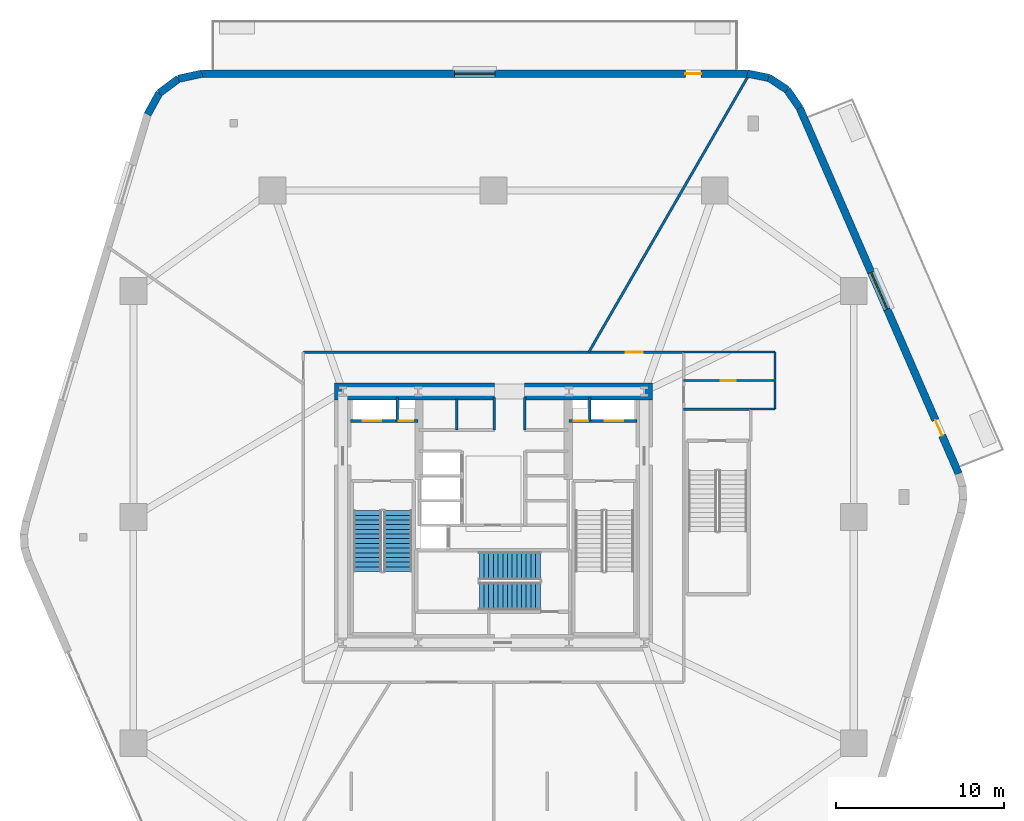
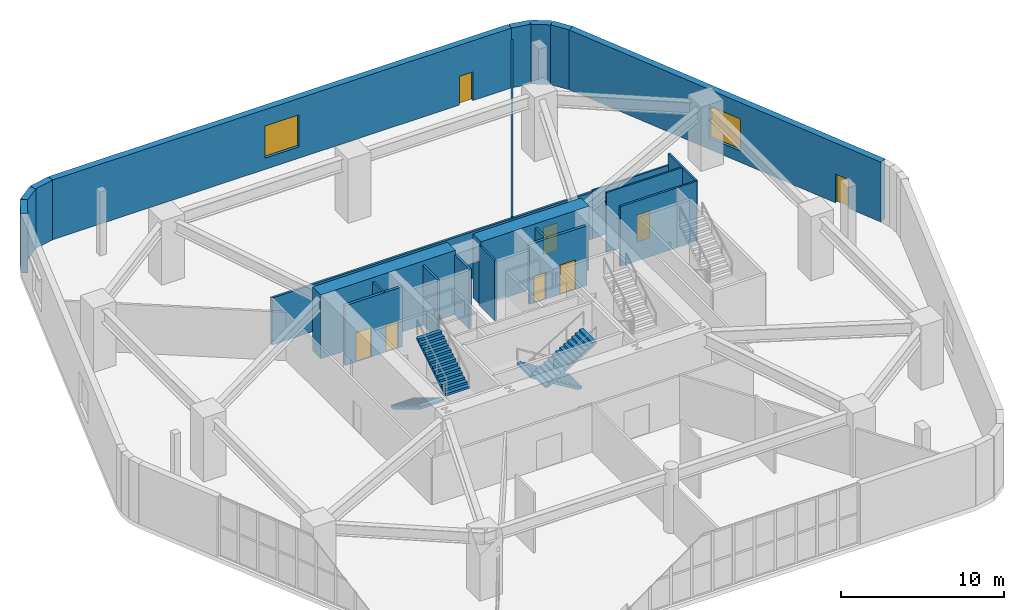
# One storey, part 13 of 17: 24 walls, 8 doors, 4 stair flights, 2 windows, 10 openings, 2 elements without a shape of their own.
"""IFC4 building model written with IfcOpenShell, lengths in metres."""

import ifcopenshell
import ifcopenshell.guid

model = None  # the IFC model being written
_history = None  # IfcOwnerHistory: only IFC2X3 demands one
_inside = {}  # id of a spatial element -> (the spatial element, [elements in it])
_under = {}  # id of a project, library or spatial element -> (it, [spatial elements below it])
_declared = {}  # id of a project -> (the project, [libraries it declares])
_typed = {}  # id of a type object -> (the type object, [elements of that type])
_made_of = {}  # id of a material, layer set ... -> (it, [elements and type objects made of it])


def new_model(schema):
    """Start an empty IFC model of exactly this schema.

    Asked for "IFC4X3", IfcOpenShell would pick the latest addendum, in which some entities
    have other attributes; the version numbers below select the first issue.
    IFC2X3 requires an IfcOwnerHistory on every rooted entity: one is made here for all.
    """
    global model, _history
    if schema == "IFC4X3":
        model = ifcopenshell.file(schema_version=(4, 3, 0, 0))
    else:
        model = ifcopenshell.file(schema=schema)
    _inside.clear()
    _under.clear()
    _declared.clear()
    _typed.clear()
    _made_of.clear()
    _history = None
    if model.schema == "IFC2X3":
        org = make("IfcOrganization", Name="unknown")
        user = make(
            "IfcPersonAndOrganization",
            ThePerson=make("IfcPerson", FamilyName="unknown"),
            TheOrganization=org,
        )
        app = make(
            "IfcApplication",
            ApplicationDeveloper=org,
            Version="unknown",
            ApplicationFullName="unknown",
            ApplicationIdentifier="unknown",
        )
        _history = make(
            "IfcOwnerHistory",
            OwningUser=user,
            OwningApplication=app,
            ChangeAction="ADDED",
            CreationDate=0,
        )
    return model


def make(cls, **values):
    """One entity of the class cls with the attributes given. An attribute that is None is left unset."""
    return model.create_entity(
        cls, **{name: value for name, value in values.items() if value is not None}
    )


def rooted(cls, **values):
    """An entity with a GlobalId (a new one), such as an element, a storey or a relation."""
    return make(cls, GlobalId=ifcopenshell.guid.new(), OwnerHistory=_history, **values)


def si_unit(unit_type, name, prefix=None):
    """IfcSIUnit, for example si_unit("LENGTHUNIT", "METRE", prefix="MILLI")."""
    return make("IfcSIUnit", UnitType=unit_type, Prefix=prefix, Name=name)


def assignment(units):
    """IfcUnitAssignment: the units of a project."""
    return None if units is None else make("IfcUnitAssignment", Units=units)


def point(xyz):
    """IfcCartesianPoint."""
    return None if xyz is None else make("IfcCartesianPoint", Coordinates=xyz)


def direction(xyz):
    """IfcDirection."""
    return None if xyz is None else make("IfcDirection", DirectionRatios=xyz)


def frame(location, z_axis=None, x_axis=None):
    """IfcAxis2Placement3D, a coordinate frame: its origin and axes. An axis left out is left unset."""
    return make(
        "IfcAxis2Placement3D",
        Location=point(location),
        Axis=direction(z_axis),
        RefDirection=direction(x_axis),
    )


def frame_2d(location, x_axis=None):
    """IfcAxis2Placement2D, a coordinate frame in the plane: its origin and x axis."""
    return make(
        "IfcAxis2Placement2D", Location=point(location), RefDirection=direction(x_axis)
    )


def origin():
    """The frame at (0, 0, 0) with its axes left unset."""
    return frame((0.0, 0.0, 0.0))


def place(relative_to, where):
    """IfcLocalPlacement: puts the frame where relative to a parent placement (None: the world)."""
    return make(
        "IfcLocalPlacement", PlacementRelTo=relative_to, RelativePlacement=where
    )


def context(
    kind, dimensions, precision=None, world=None, true_north=None, identifier=None
):
    """IfcGeometricRepresentationContext, for example the 3D "Model" context."""
    return make(
        "IfcGeometricRepresentationContext",
        ContextIdentifier=identifier,
        ContextType=kind,
        CoordinateSpaceDimension=dimensions,
        Precision=precision,
        WorldCoordinateSystem=world,
        TrueNorth=true_north,
    )


def subcontext(parent, identifier, kind, view, scale=None):
    """IfcGeometricRepresentationSubContext, for example "Body" below "Model"."""
    return make(
        "IfcGeometricRepresentationSubContext",
        ContextIdentifier=identifier,
        ContextType=kind,
        ParentContext=parent,
        TargetScale=scale,
        TargetView=view,
    )


def project(units=None, contexts=None):
    """IfcProject with its units and contexts."""
    return rooted(
        "IfcProject",
        Name="project",
        RepresentationContexts=contexts,
        UnitsInContext=assignment(units),
    )


def spatial(cls, under=None, at=None, **own):
    """A site, building, storey or space (cls), placed at a placement, below another one or the project."""
    s = rooted(cls, ObjectPlacement=at, **own)
    if under is not None:
        _under.setdefault(under.id(), (under, []))[1].append(s)
    return s


def polyline(points):
    """IfcPolyline through the points."""
    return make("IfcPolyline", Points=[point(p) for p in points])


def profile(cls, at=None, kind="AREA", **sizes):
    """A parametric profile (cls). Its sizes go by their IFC names, for example OverallWidth=200.0."""
    return make(cls, ProfileType=kind, Position=at, **sizes)


def rectangle(**sizes):
    """IfcRectangleProfileDef."""
    return profile("IfcRectangleProfileDef", **sizes)


def outline(outer, holes=None, kind="AREA"):
    """IfcArbitraryClosedProfileDef: a profile drawn as a closed curve; with holes, ...WithVoids."""
    if holes is None:
        return make("IfcArbitraryClosedProfileDef", ProfileType=kind, OuterCurve=outer)
    return make(
        "IfcArbitraryProfileDefWithVoids",
        ProfileType=kind,
        OuterCurve=outer,
        InnerCurves=holes,
    )


def extrude(swept, where, along, depth):
    """IfcExtrudedAreaSolid: the profile swept, set in the frame where, extruded along a direction by depth."""
    return make(
        "IfcExtrudedAreaSolid",
        SweptArea=swept,
        Position=where,
        ExtrudedDirection=direction(along),
        Depth=depth,
    )


def shape(context_of_items, identifier, shape_type, items):
    """IfcShapeRepresentation: the items that make up one representation, for example the "Body"."""
    return make(
        "IfcShapeRepresentation",
        ContextOfItems=context_of_items,
        RepresentationIdentifier=identifier,
        RepresentationType=shape_type,
        Items=items,
    )


def material(Name=None, Category=None):
    """IfcMaterial."""
    return make("IfcMaterial", Name=Name, Category=Category)


def layer(
    of_material, thickness, ventilated=None, Name=None, Category=None, Priority=None
):
    """IfcMaterialLayer: one layer of a wall or slab, of a material (None: an air gap)."""
    return make(
        "IfcMaterialLayer",
        Material=of_material,
        LayerThickness=thickness,
        IsVentilated=ventilated,
        Name=Name,
        Category=Category,
        Priority=Priority,
    )


def layer_set(layers, Name=None):
    """IfcMaterialLayerSet."""
    return make("IfcMaterialLayerSet", MaterialLayers=layers, LayerSetName=Name)


def made_of(thing, what):
    """Note that an element or type object is made of a material, layer set ...; save() writes the relation."""
    if what is not None:
        _made_of.setdefault(what.id(), (what, []))[1].append(thing)
    return thing


def type_object(cls, material=None, **own):
    """A type object (cls), such as IfcWallType, which elements share."""
    return made_of(rooted(cls, **own), material)


def element(
    cls,
    number,
    at=None,
    inside=None,
    cuts=None,
    type_object=None,
    material=None,
    context=None,
    identifier="Body",
    shape_type=None,
    held_by="IfcProductDefinitionShape",
    body=None,
    shapes=None,
    **own,
):
    """One element of the class cls, such as IfcWall. Its Tag is "e" and its number.

    at: its placement. inside: the storey or other place that contains it. cuts: it is an
    opening in that element (IfcRelVoidsElement). A single representation is given by context,
    identifier, shape_type and body (its items); several are given by shapes. held_by: the class
    of the entity that holds the representations. save() writes the other relations.
    """
    e = rooted(cls, Tag="e%d" % number, ObjectPlacement=at, **own)
    if body is not None:
        shapes = [shape(context, identifier, shape_type, body)]
    if shapes is not None:
        e.Representation = make(held_by, Representations=shapes)
    if inside is not None:
        _inside.setdefault(inside.id(), (inside, []))[1].append(e)
    if cuts is not None:
        rooted(
            "IfcRelVoidsElement", RelatingBuildingElement=cuts, RelatedOpeningElement=e
        )
    if type_object is not None:
        _typed.setdefault(type_object.id(), (type_object, []))[1].append(e)
    return made_of(e, material)


def fill(opening, filler):
    """IfcRelFillsElement: the door or window that sits in an opening."""
    return rooted(
        "IfcRelFillsElement",
        RelatingOpeningElement=opening,
        RelatedBuildingElement=filler,
    )


def aggregate(whole, parts):
    """IfcRelAggregates: a whole, such as a stair, and the parts it consists of."""
    return rooted("IfcRelAggregates", RelatingObject=whole, RelatedObjects=parts)


def save(model, path):
    """Write the relations noted so far, then the file.

    IfcRelAggregates (storeys below a building ...), IfcRelContainedInSpatialStructure (elements
    in a storey), IfcRelDefinesByType, IfcRelAssociatesMaterial and IfcRelDeclares: one each for
    every whole, place, type object, material and project.
    """
    for whole, parts in _under.values():
        aggregate(whole, parts)
    for where, things in _inside.values():
        rooted(
            "IfcRelContainedInSpatialStructure",
            RelatedElements=things,
            RelatingStructure=where,
        )
    for kind, things in _typed.values():
        rooted("IfcRelDefinesByType", RelatedObjects=things, RelatingType=kind)
    for what, things in _made_of.values():
        rooted("IfcRelAssociatesMaterial", RelatedObjects=things, RelatingMaterial=what)
    for by, libraries in _declared.values():
        rooted("IfcRelDeclares", RelatingContext=by, RelatedDefinitions=libraries)
    model.write(path)


model = new_model("IFC4")

# Units and contexts
model_context = context("Model", 3, precision=1e-05, world=origin(), true_north=direction((0.0, 1.0)))
body_context = subcontext(model_context, "Body", "Model", "MODEL_VIEW")
ifc_project = project(units=[si_unit("LENGTHUNIT", "METRE"), si_unit("AREAUNIT", "SQUARE_METRE"), si_unit("VOLUMEUNIT", "CUBIC_METRE"), si_unit("PLANEANGLEUNIT", "RADIAN"), si_unit("MASSUNIT", "GRAM", prefix="KILO")], contexts=[model_context])

# Site, building, storey
site_placement = place(None, origin())
site = spatial("IfcSite", under=ifc_project, at=site_placement, CompositionType="ELEMENT")
building_placement = place(site_placement, origin())
building = spatial("IfcBuilding", under=site, at=building_placement, Name="Kilnhurst Terrace Hotel", CompositionType="ELEMENT")
storey_placement = place(building_placement, frame((0.0, 0.0, 18.60009765625)))
storey = spatial("IfcBuildingStorey", under=building, at=storey_placement, Name="L03", CompositionType="ELEMENT", Elevation=18.60009765625)

# Walls
ifc_material_1 = material(Name="Precast concrete C40/50", Category="concrete")
ifc_layer_1 = layer(ifc_material_1, 0.449951171875, Name="Precast concrete C40/50")
ifc_layer_set_1 = layer_set([ifc_layer_1], Name="Precast concrete C40/50")
wall_type_1 = type_object("IfcWallType", Name="WL-BRK-450", PredefinedType="SOLIDWALL", material=ifc_layer_set_1)
wall_1_placement = place(storey_placement, frame((18.27099609375, 24.426025390625, 0.0), z_axis=(0.0, 0.0, 1.0), x_axis=(-0.567629051817, 0.823284434162, 0.0)))
element("IfcWall", 1, at=wall_1_placement, inside=storey, type_object=wall_type_1, Name="L03 Rounded Corner Brick Wall C4.1", PredefinedType="SOLIDWALL", context=body_context, shape_type="SweptSolid", body=[
    extrude(rectangle(XDim=1.31787109375, YDim=0.449951171875, at=frame_2d((0.658935546875, 0.0))), origin(), (0.0, 0.0, 1.0), 4.47998046875),
])
wall_2_placement = place(storey_placement, frame((17.52294921875, 25.510986328125, 0.0), z_axis=(0.0, 0.0, 1.0), x_axis=(-0.83622878949, 0.548380717776, 0.0)))
element("IfcWall", 2, at=wall_2_placement, inside=storey, type_object=wall_type_1, Name="L03 Rounded Corner Brick Wall C4.2", PredefinedType="SOLIDWALL", context=body_context, shape_type="SweptSolid", body=[
    extrude(rectangle(XDim=1.2958984375, YDim=0.449951171875, at=frame_2d((0.64794921875, 0.0))), origin(), (0.0, 0.0, 1.0), 4.47998046875),
])
wall_3_placement = place(storey_placement, frame((16.439208984375, 26.2216796875, 0.0), z_axis=(0.0, 0.0, 1.0), x_axis=(-0.98134938685, 0.192232621919, 0.0)))
element("IfcWall", 3, at=wall_3_placement, inside=storey, type_object=wall_type_1, Name="L03 Rounded Corner Brick Wall C4.3", PredefinedType="SOLIDWALL", context=body_context, shape_type="SweptSolid", body=[
    extrude(rectangle(XDim=1.318359375, YDim=0.449951171875, at=frame_2d((0.6591796875, 0.0))), origin(), (0.0, 0.0, 1.0), 4.47998046875),
])
wall_4_placement = place(storey_placement, frame((-17.385986328125, 26.47509765625, 0.0), z_axis=(0.0, 0.0, 1.0), x_axis=(-0.977277895208, -0.211962061551, 0.0)))
element("IfcWall", 4, at=wall_4_placement, inside=storey, type_object=wall_type_1, Name="L03 Rounded Corner Brick Wall C5.1", PredefinedType="SOLIDWALL", context=body_context, shape_type="SweptSolid", body=[
    extrude(rectangle(XDim=1.452392578125, YDim=0.449951171875, at=frame_2d((0.72607421875, 0.0))), origin(), (0.0, 0.0, 1.0), 4.47998046875),
])
wall_5_placement = place(storey_placement, frame((-18.805419921875, 26.167236328125, 0.0), z_axis=(0.0, 0.0, 1.0), x_axis=(-0.801863548993, -0.597507195603, 0.0)))
element("IfcWall", 5, at=wall_5_placement, inside=storey, type_object=wall_type_1, Name="L03 Rounded Corner Brick Wall C5.2", PredefinedType="SOLIDWALL", context=body_context, shape_type="SweptSolid", body=[
    extrude(rectangle(XDim=1.427734375, YDim=0.449951171875, at=frame_2d((0.7138671875, 0.0))), origin(), (0.0, 0.0, 1.0), 4.47998046875),
])
wall_6_placement = place(storey_placement, frame((-19.9501953125, 25.314208984375, 0.0), z_axis=(0.0, 0.0, 1.0), x_axis=(-0.482499474814, -0.875896259157, 0.0)))
element("IfcWall", 6, at=wall_6_placement, inside=storey, type_object=wall_type_1, Name="L03 Rounded Corner Brick Wall C5.3", PredefinedType="SOLIDWALL", context=body_context, shape_type="SweptSolid", body=[
    extrude(rectangle(XDim=1.4521484375, YDim=0.449951171875, at=frame_2d((0.72607421875, 0.0))), origin(), (0.0, 0.0, 1.0), 4.47998046875),
])

# Wall, openings, door, window
wall_7_placement = place(storey_placement, frame((27.76416015625, 2.596435546875, 0.0), z_axis=(0.0, 0.0, 1.0), x_axis=(-0.398798114842, 0.917038747054, 0.0)))
wall_7 = element("IfcWall", 7, at=wall_7_placement, inside=storey, type_object=wall_type_1, Name="L03 Exterior Brick Facade Wall F3", PredefinedType="SOLIDWALL", context=body_context, shape_type="SweptSolid", body=[
    extrude(rectangle(XDim=23.804443359375, YDim=0.449951171875, at=frame_2d((11.90234375, 0.0))), origin(), (0.0, 0.0, 1.0), 4.47998046875),
])
opening_1_placement = place(wall_7_placement, frame((2.47607421875, 0.0, 0.0)))
opening_1 = element("IfcOpeningElement", 8, at=opening_1_placement, cuts=wall_7, Name="Opening BD-1000", PredefinedType="OPENING", context=body_context, shape_type="SweptSolid", body=[
    extrude(rectangle(XDim=1.0, YDim=2.14990234375, at=frame_2d((0.5, 1.074951171875))), frame((0.0, 0.23486328125, 0.0), z_axis=(0.0, -1.0, 0.0), x_axis=(1.0, 0.0, 0.0)), (0.0, 0.0, 1.0), 0.469970703125),
])
opening_2_placement = place(wall_7_placement, frame((10.701904296875, 0.0, 0.85009765625)))
opening_2 = element("IfcOpeningElement", 9, at=opening_2_placement, cuts=wall_7, Name="Opening W-07", PredefinedType="OPENING", context=body_context, shape_type="SweptSolid", body=[
    extrude(rectangle(XDim=2.39990234375, YDim=2.39990234375, at=frame_2d((1.199951171875, 1.199951171875))), frame((0.0, 0.23486328125, 0.0), z_axis=(0.0, -1.0, 0.0), x_axis=(1.0, 0.0, 0.0)), (0.0, 0.0, 1.0), 0.469970703125),
])
ifc_material_2 = material(Name="Thermally Broken Bronze Aluminium Alloy 6063-T6 and Laminated Glass", Category="aluminium")
door_type_1 = type_object("IfcDoorType", Name="DR-EXT-BAL-1000", OperationType="NOTDEFINED", PredefinedType="DOOR", material=ifc_material_2)
door_1_placement = place(opening_1_placement, origin())
door_1 = element("IfcDoor", 10, at=door_1_placement, inside=storey, type_object=door_type_1, Name="L03 Planted Balcony Door TERR-1", OperationType="SINGLE_SWING_LEFT", OverallHeight=2.14990234375, OverallWidth=1.0, PredefinedType="DOOR", context=body_context, shape_type="SweptSolid", body=[
    extrude(rectangle(XDim=1.0, YDim=2.14990234375, at=frame_2d((0.5, 1.074951171875))), frame((0.0, 0.02490234375, 0.0), z_axis=(0.0, -1.0, 0.0), x_axis=(1.0, 0.0, 0.0)), (0.0, 0.0, 1.0), 0.050048828125),
])
fill(opening_1, door_1)
ifc_material_3 = material(Name="Thermally Broken Bronze Aluminium Alloy 6063-T6 and Low-E Glass", Category="aluminium")
window_type = type_object("IfcWindowType", Name="WIN-2400X2400", PartitioningType="SINGLE_PANEL", PredefinedType="WINDOW", material=ifc_material_3)
window_1_placement = place(opening_2_placement, origin())
window_1 = element("IfcWindow", 11, at=window_1_placement, inside=storey, type_object=window_type, Name="L03 Deep-Set Masonry Window F3.1", OverallHeight=2.39990234375, OverallWidth=2.39990234375, PartitioningType="SINGLE_PANEL", PredefinedType="WINDOW", context=body_context, shape_type="SweptSolid", body=[
    extrude(rectangle(XDim=2.39990234375, YDim=2.39990234375, at=frame_2d((1.199951171875, 1.199951171875))), frame((0.0, 0.030029296875, 0.0), z_axis=(0.0, -1.0, 0.0), x_axis=(1.0, 0.0, 0.0)), (0.0, 0.0, 1.0), 0.06005859375),
])
fill(opening_2, window_1)

wall_8_placement = place(storey_placement, frame((15.1455078125, 26.47509765625, 0.0), z_axis=(0.0, 0.0, 1.0), x_axis=(-1.0, 0.0, 0.0)))
wall_8 = element("IfcWall", 12, at=wall_8_placement, inside=storey, type_object=wall_type_1, Name="L03 Exterior Brick Facade Wall F4", PredefinedType="SOLIDWALL", context=body_context, shape_type="SweptSolid", body=[
    extrude(rectangle(XDim=32.531494140625, YDim=0.449951171875, at=frame_2d((16.265625, 0.0))), origin(), (0.0, 0.0, 1.0), 4.47998046875),
])
opening_3_placement = place(wall_8_placement, frame((2.7529296875, 0.0, 0.0)))
opening_3 = element("IfcOpeningElement", 13, at=opening_3_placement, cuts=wall_8, Name="Opening BD-950", PredefinedType="OPENING", context=body_context, shape_type="SweptSolid", body=[
    extrude(rectangle(XDim=0.949951171875, YDim=2.14990234375, at=frame_2d((0.47509765625, 1.074951171875))), frame((0.0, 0.23486328125, 0.0), z_axis=(0.0, -1.0, 0.0), x_axis=(1.0, 0.0, 0.0)), (0.0, 0.0, 1.0), 0.469970703125),
])
opening_4_placement = place(wall_8_placement, frame((15.06591796875, 0.0, 0.85009765625)))
opening_4 = element("IfcOpeningElement", 14, at=opening_4_placement, cuts=wall_8, Name="Opening W-07", PredefinedType="OPENING", context=body_context, shape_type="SweptSolid", body=[
    extrude(rectangle(XDim=2.39990234375, YDim=2.39990234375, at=frame_2d((1.199951171875, 1.199951171875))), frame((0.0, 0.23486328125, 0.0), z_axis=(0.0, -1.0, 0.0), x_axis=(1.0, 0.0, 0.0)), (0.0, 0.0, 1.0), 0.469970703125),
])
door_type_2 = type_object("IfcDoorType", Name="DR-EXT-BAL-950", OperationType="NOTDEFINED", PredefinedType="DOOR", material=ifc_material_2)
door_2_placement = place(opening_3_placement, origin())
door_2 = element("IfcDoor", 15, at=door_2_placement, inside=storey, type_object=door_type_2, Name="L03 Planted Balcony Door TERR-2", OperationType="SINGLE_SWING_RIGHT", OverallHeight=2.14990234375, OverallWidth=0.949951171875, PredefinedType="DOOR", context=body_context, shape_type="SweptSolid", body=[
    extrude(rectangle(XDim=0.949951171875, YDim=2.14990234375, at=frame_2d((0.47509765625, 1.074951171875))), frame((0.0, 0.02490234375, 0.0), z_axis=(0.0, -1.0, 0.0), x_axis=(1.0, 0.0, 0.0)), (0.0, 0.0, 1.0), 0.050048828125),
])
fill(opening_3, door_2)
window_2_placement = place(opening_4_placement, origin())
window_2 = element("IfcWindow", 16, at=window_2_placement, inside=storey, type_object=window_type, Name="L03 Deep-Set Masonry Window F4.1", OverallHeight=2.39990234375, OverallWidth=2.39990234375, PartitioningType="SINGLE_PANEL", PredefinedType="WINDOW", context=body_context, shape_type="SweptSolid", body=[
    extrude(rectangle(XDim=2.39990234375, YDim=2.39990234375, at=frame_2d((1.199951171875, 1.199951171875))), frame((0.0, 0.030029296875, 0.0), z_axis=(0.0, -1.0, 0.0), x_axis=(1.0, 0.0, 0.0)), (0.0, 0.0, 1.0), 0.06005859375),
])
fill(opening_4, window_2)

# Wall, opening, door
ifc_material_4 = material(Name="Acoustic Double-Gypsum Corridor Partition Assembly")
ifc_layer_2 = layer(ifc_material_4, 0.14990234375, Name="Acoustic Double-Gypsum Corridor Partition Assembly")
ifc_layer_set_2 = layer_set([ifc_layer_2], Name="Acoustic Double-Gypsum Corridor Partition Assembly")
wall_type_2 = type_object("IfcWallType", Name="WL-COR-150", PredefinedType="PARTITIONING", material=ifc_layer_set_2)
wall_9_placement = place(storey_placement, frame((-11.35009765625, 9.85009765625, 0.0), z_axis=(0.0, 0.0, 1.0), x_axis=(1.0, 0.0, 0.0)))
wall_9 = element("IfcWall", 17, at=wall_9_placement, inside=storey, type_object=wall_type_2, Name="L03 Interior Wall WL-L03-COR-02", PredefinedType="PARTITIONING", context=body_context, shape_type="SweptSolid", body=[
    extrude(rectangle(XDim=22.7001953125, YDim=0.14990234375, at=frame_2d((11.35009765625, 0.0))), origin(), (0.0, 0.0, 1.0), 3.521728515625),
])
opening_5_placement = place(wall_9_placement, frame((19.2490234375, 0.0, 0.0)))
opening_5 = element("IfcOpeningElement", 18, at=opening_5_placement, cuts=wall_9, Name="Opening D-10A", PredefinedType="OPENING", context=body_context, shape_type="SweptSolid", body=[
    extrude(rectangle(XDim=1.0, YDim=2.030029296875, at=frame_2d((0.5, 1.01513671875))), frame((0.0, 0.0849609375, 0.0), z_axis=(0.0, -1.0, 0.0), x_axis=(1.0, 0.0, 0.0)), (0.0, 0.0, 1.0), 0.169921875),
])
ifc_material_5 = material(Name="Solid-Core American White Oak Interior Door")
door_type_3 = type_object("IfcDoorType", Name="DR-INT-1000", OperationType="NOTDEFINED", PredefinedType="DOOR", material=ifc_material_5)
door_3_placement = place(opening_5_placement, origin())
door_3 = element("IfcDoor", 19, at=door_3_placement, inside=storey, type_object=door_type_3, Name="L03 Executive Conference Boardroom Suite Door", OperationType="SINGLE_SWING_LEFT", OverallHeight=2.030029296875, OverallWidth=1.0, PredefinedType="DOOR", context=body_context, shape_type="SweptSolid", body=[
    extrude(rectangle(XDim=1.0, YDim=2.030029296875, at=frame_2d((0.5, 1.01513671875))), frame((0.0, 0.02490234375, 0.0), z_axis=(0.0, -1.0, 0.0), x_axis=(1.0, 0.0, 0.0)), (0.0, 0.0, 1.0), 0.050048828125),
])
fill(opening_5, door_3)

# Walls
wall_10_placement = place(storey_placement, frame((11.35009765625, 6.449951171875, 0.0), z_axis=(0.0, 0.0, 1.0), x_axis=(1.0, 0.0, 0.0)))
element("IfcWall", 20, at=wall_10_placement, inside=storey, type_object=wall_type_2, Name="L03 Interior Wall WL-L03-ST4-VEST-N", PredefinedType="PARTITIONING", context=body_context, shape_type="SweptSolid", body=[
    extrude(rectangle(XDim=4.0, YDim=0.14990234375, at=frame_2d((2.0, 0.0))), origin(), (0.0, 0.0, 1.0), 4.47998046875),
])
ifc_material_6 = material(Name="Concrete C80/95", Category="concrete")
ifc_layer_3 = layer(ifc_material_6, 1.0, Name="Concrete C80/95")
ifc_layer_set_3 = layer_set([ifc_layer_3], Name="Concrete C80/95")
wall_type_3 = type_object("IfcWallType", Name="WL-CORE-1000", PredefinedType="SHEAR", material=ifc_layer_set_3)
wall_11_placement = place(storey_placement, frame((-9.5, 7.5, 0.0), z_axis=(0.0, 0.0, 1.0), x_axis=(1.0, 0.0, 0.0)))
element("IfcWall", 21, at=wall_11_placement, inside=storey, type_object=wall_type_3, Name="L03 Core North West Shear Wall", PredefinedType="SHEAR", context=body_context, shape_type="SweptSolid", body=[
    extrude(rectangle(XDim=9.550048828125, YDim=1.0, at=frame_2d((4.77490234375, 0.0))), origin(), (0.0, 0.0, 1.0), 4.7998046875),
])
wall_12_placement = place(storey_placement, frame((1.85009765625, 7.5, 0.0), z_axis=(0.0, 0.0, 1.0), x_axis=(1.0, 0.0, 0.0)))
element("IfcWall", 22, at=wall_12_placement, inside=storey, type_object=wall_type_3, Name="L03 Core North East Shear Wall", PredefinedType="SHEAR", context=body_context, shape_type="SweptSolid", body=[
    extrude(rectangle(XDim=7.64990234375, YDim=1.0, at=frame_2d((3.824951171875, 0.0))), origin(), (0.0, 0.0, 1.0), 4.7998046875),
])
ifc_material_7 = material(Name="120 mm Moisture-Resistant Tile-Backed Bathroom Partition")
ifc_layer_4 = layer(ifc_material_7, 0.1201171875, Name="120 mm Moisture-Resistant Tile-Backed Bathroom Partition")
ifc_layer_set_4 = layer_set([ifc_layer_4], Name="120 mm Moisture-Resistant Tile-Backed Bathroom Partition")
wall_type_4 = type_object("IfcWallType", Name="WL-PART-120", PredefinedType="PARTITIONING", material=ifc_layer_set_4)
wall_13_placement = place(storey_placement, frame((15.35009765625, 6.449951171875, 0.0), z_axis=(0.0, 0.0, 1.0), x_axis=(1.0, 0.0, 0.0)))
element("IfcWall", 23, at=wall_13_placement, inside=storey, type_object=wall_type_4, Name="L03 Interior Wall WL-L03-PWC-S", PredefinedType="PARTITIONING", context=body_context, shape_type="SweptSolid", body=[
    extrude(rectangle(XDim=1.449951171875, YDim=0.1201171875, at=frame_2d((0.72509765625, 0.0))), origin(), (0.0, 0.0, 1.0), 4.47998046875),
])
wall_14_placement = place(storey_placement, frame((16.800048828125, 6.449951171875, 0.0), z_axis=(0.0, 0.0, 1.0), x_axis=(0.0, 1.0, 0.0)))
element("IfcWall", 24, at=wall_14_placement, inside=storey, type_object=wall_type_4, Name="L03 Interior Wall WL-L03-PWC-E", PredefinedType="PARTITIONING", context=body_context, shape_type="SweptSolid", body=[
    extrude(rectangle(XDim=3.400146484375, YDim=0.1201171875, at=frame_2d((1.7001953125, 0.0))), origin(), (0.0, 0.0, 1.0), 4.47998046875),
])
wall_15_placement = place(storey_placement, frame((11.35009765625, 9.85009765625, 0.0), z_axis=(0.0, 0.0, 1.0), x_axis=(1.0, 0.0, 0.0)))
element("IfcWall", 25, at=wall_15_placement, inside=storey, type_object=wall_type_4, Name="L03 Interior Wall WL-L03-PWC-N", PredefinedType="PARTITIONING", context=body_context, shape_type="SweptSolid", body=[
    extrude(rectangle(XDim=5.449951171875, YDim=0.1201171875, at=frame_2d((2.72509765625, 0.0))), origin(), (0.0, 0.0, 1.0), 3.614013671875),
])

# Wall, opening, door
wall_16_placement = place(storey_placement, frame((11.35009765625, 8.14990234375, 0.0), z_axis=(0.0, 0.0, 1.0), x_axis=(1.0, 0.0, 0.0)))
wall_16 = element("IfcWall", 26, at=wall_16_placement, inside=storey, type_object=wall_type_4, Name="L03 Interior Wall WL-L03-PWC-MID", PredefinedType="PARTITIONING", context=body_context, shape_type="SweptSolid", body=[
    extrude(rectangle(XDim=5.449951171875, YDim=0.1201171875, at=frame_2d((2.72509765625, 0.0))), origin(), (0.0, 0.0, 1.0), 4.47998046875),
])
opening_6_placement = place(wall_16_placement, frame((2.199951171875, 0.0, 0.0)))
opening_6 = element("IfcOpeningElement", 27, at=opening_6_placement, cuts=wall_16, Name="Opening D-09B", PredefinedType="OPENING", context=body_context, shape_type="SweptSolid", body=[
    extrude(rectangle(XDim=0.89990234375, YDim=2.030029296875, at=frame_2d((0.449951171875, 1.01513671875))), frame((0.0, 0.070068359375, 0.0), z_axis=(0.0, -1.0, 0.0), x_axis=(1.0, 0.0, 0.0)), (0.0, 0.0, 1.0), 0.14013671875),
])
ifc_material_8 = material(Name="Moisture-Resistant Solid-Core Restroom Door")
door_type_4 = type_object("IfcDoorType", Name="DR-INT-900", OperationType="NOTDEFINED", PredefinedType="DOOR", material=ifc_material_8)
door_4_placement = place(opening_6_placement, origin())
door_4 = element("IfcDoor", 28, at=door_4_placement, inside=storey, type_object=door_type_4, Name="L03 Accessible Restroom Door", OperationType="SINGLE_SWING_RIGHT", OverallHeight=2.030029296875, OverallWidth=0.89990234375, PredefinedType="DOOR", context=body_context, shape_type="SweptSolid", body=[
    extrude(rectangle(XDim=0.89990234375, YDim=2.030029296875, at=frame_2d((0.449951171875, 1.01513671875))), frame((0.0, 0.02490234375, 0.0), z_axis=(0.0, -1.0, 0.0), x_axis=(1.0, 0.0, 0.0)), (0.0, 0.0, 1.0), 0.050048828125),
])
fill(opening_6, door_4)

# Walls
ifc_material_9 = material(Name="150 mm Acoustic Gypsum Hospitality Partition")
ifc_layer_5 = layer(ifc_material_9, 0.14990234375, Name="150 mm Acoustic Gypsum Hospitality Partition")
ifc_layer_set_5 = layer_set([ifc_layer_5], Name="150 mm Acoustic Gypsum Hospitality Partition")
wall_type_5 = type_object("IfcWallType", Name="WL-PART-150", PredefinedType="PARTITIONING", material=ifc_layer_set_5)
wall_17_placement = place(storey_placement, frame((5.68701171875, 9.85009765625, 0.0), z_axis=(0.0, 0.0, 1.0), x_axis=(0.499994975061, 0.866028304915, 0.0)))
element("IfcWall", 29, at=wall_17_placement, inside=storey, type_object=wall_type_5, Name="L03 Interior Wall WL-L03-PDIV-4-1", PredefinedType="PARTITIONING", context=body_context, shape_type="SweptSolid", body=[
    extrude(rectangle(XDim=18.999267578125, YDim=0.14990234375, at=frame_2d((9.49951171875, 0.0))), origin(), (0.0, 0.0, 1.0), 3.614013671875),
])
ifc_material_10 = material(Name="Fire-Rated Gypsum Shaftliner Assembly")
ifc_layer_6 = layer(ifc_material_10, 0.14990234375, Name="Fire-Rated Gypsum Shaftliner Assembly")
ifc_layer_set_6 = layer_set([ifc_layer_6], Name="Fire-Rated Gypsum Shaftliner Assembly")
wall_type_6 = type_object("IfcWallType", Name="WL-SHAFT-150", PredefinedType="PARTITIONING", material=ifc_layer_set_6)
for number, where, z_axis, x_axis, name in (
    (30, (-5.75, 5.739990234375, 0.0), (0.0, 0.0, 1.0), (0.0, 1.0, 0.0), "L03 Interior Wall WL-L03-RIS1-DIV"),
    (31, (5.75, 5.739990234375, 0.0), (0.0, 0.0, 1.0), (0.0, 1.0, 0.0), "L03 Interior Wall WL-L03-RIS2-DIV"),
):
    element("IfcWall", number, at=place(storey_placement, frame(where, z_axis=z_axis, x_axis=x_axis)), inside=storey, type_object=wall_type_6, Name=name, PredefinedType="PARTITIONING", context=body_context, shape_type="SweptSolid", body=[
        extrude(rectangle(XDim=1.409912109375, YDim=0.14990234375, at=frame_2d((0.705078125, 0.0))), origin(), (0.0, 0.0, 1.0), 4.47998046875),
    ])
wall_18_placement = place(storey_placement, frame((-2.199951171875, 5.199951171875, 0.0), z_axis=(0.0, 0.0, 1.0), x_axis=(0.0, 1.0, 0.0)))
element("IfcWall", 32, at=wall_18_placement, inside=storey, type_object=wall_type_6, Name="L03 Interior Wall WL-L03-HR-DIV1", PredefinedType="PARTITIONING", context=body_context, shape_type="SweptSolid", body=[
    extrude(rectangle(XDim=1.85009765625, YDim=0.14990234375, at=frame_2d((0.925048828125, 0.0))), origin(), (0.0, 0.0, 1.0), 4.47998046875),
])
for number, where, z_axis, x_axis, name in (
    (33, (0.050048828125, 5.199951171875, 0.0), (0.0, 0.0, 1.0), (0.0, 1.0, 0.0), "L03 Interior Wall WL-L03-HR-PORTAL-W"),
    (34, (1.85009765625, 5.199951171875, 0.0), (0.0, 0.0, 1.0), (0.0, 1.0, 0.0), "L03 Interior Wall WL-L03-HR-PORTAL-E"),
):
    element("IfcWall", number, at=place(storey_placement, frame(where, z_axis=z_axis, x_axis=x_axis)), inside=storey, type_object=wall_type_6, Name=name, PredefinedType="PARTITIONING", context=body_context, shape_type="SweptSolid", body=[
        extrude(rectangle(XDim=1.949951171875, YDim=0.14990234375, at=frame_2d((0.97509765625, 0.0))), origin(), (0.0, 0.0, 1.0), 4.47998046875),
    ])

# Wall, openings, doors
ifc_material_11 = material(Name="Autoclaved Aerated Concrete C30/37 and Gypsum Shaft Assembly", Category="concrete")
ifc_layer_7 = layer(ifc_material_11, 0.199951171875, Name="Autoclaved Aerated Concrete C30/37 and Gypsum Shaft Assembly")
ifc_layer_set_7 = layer_set([ifc_layer_7], Name="Autoclaved Aerated Concrete C30/37 and Gypsum Shaft Assembly")
wall_type_7 = type_object("IfcWallType", Name="WL-SHAFT-200", PredefinedType="PARTITIONING", material=ifc_layer_set_7)
wall_19_placement = place(storey_placement, frame((-8.550048828125, 5.739990234375, 0.0), z_axis=(0.0, 0.0, 1.0), x_axis=(1.0, 0.0, 0.0)))
wall_19 = element("IfcWall", 35, at=wall_19_placement, inside=storey, type_object=wall_type_7, Name="L03 Interior Wall WL-L03-FSAE1-S", PredefinedType="PARTITIONING", context=body_context, shape_type="SweptSolid", body=[
    extrude(rectangle(XDim=4.050048828125, YDim=0.199951171875, at=frame_2d((2.02490234375, 0.0))), origin(), (0.0, 0.0, 1.0), 4.47998046875),
])
opening_7_placement = place(wall_19_placement, frame((0.75, 0.0, 0.0)))
opening_7 = element("IfcOpeningElement", 36, at=opening_7_placement, cuts=wall_19, Name="Opening LD-F1", PredefinedType="OPENING", context=body_context, shape_type="SweptSolid", body=[
    extrude(rectangle(XDim=1.10009765625, YDim=2.199951171875, at=frame_2d((0.550048828125, 1.10009765625))), frame((0.0, 0.10986328125, 0.0), z_axis=(0.0, -1.0, 0.0), x_axis=(1.0, 0.0, 0.0)), (0.0, 0.0, 1.0), 0.219970703125),
])
opening_8_placement = place(wall_19_placement, frame((2.89990234375, 0.0, 0.0)))
opening_8 = element("IfcOpeningElement", 37, at=opening_8_placement, cuts=wall_19, Name="Opening D-60D", PredefinedType="OPENING", context=body_context, shape_type="SweptSolid", body=[
    extrude(rectangle(XDim=0.85009765625, YDim=2.030029296875, at=frame_2d((0.425048828125, 1.01513671875))), frame((0.0, 0.10986328125, 0.0), z_axis=(0.0, -1.0, 0.0), x_axis=(1.0, 0.0, 0.0)), (0.0, 0.0, 1.0), 0.219970703125),
])
ifc_material_12 = material(Name="Painted Hollow Metal Steel ASTM A36 Riser Door", Category="steel")
door_type_5 = type_object("IfcDoorType", Name="DR-FD60-850", OperationType="NOTDEFINED", PredefinedType="DOOR", material=ifc_material_12)
door_5_placement = place(opening_8_placement, origin())
door_5 = element("IfcDoor", 38, at=door_5_placement, inside=storey, type_object=door_type_5, Name="L03 Electrical Riser Door", OperationType="SINGLE_SWING_LEFT", OverallHeight=2.030029296875, OverallWidth=0.85009765625, PredefinedType="DOOR", context=body_context, shape_type="SweptSolid", body=[
    extrude(rectangle(XDim=0.85009765625, YDim=2.030029296875, at=frame_2d((0.425048828125, 1.01513671875))), frame((0.0, 0.02490234375, 0.0), z_axis=(0.0, -1.0, 0.0), x_axis=(1.0, 0.0, 0.0)), (0.0, 0.0, 1.0), 0.050048828125),
])
fill(opening_8, door_5)
ifc_material_13 = material(Name="Bronze-Anodized Stainless Steel AISI 316L Sliding Door", Category="steel")
door_type_6 = type_object("IfcDoorType", Name="DR-LIFT-1100", OperationType="NOTDEFINED", PredefinedType="DOOR", material=ifc_material_13)
door_6_placement = place(opening_7_placement, origin())
door_6 = element("IfcDoor", 39, at=door_6_placement, inside=storey, type_object=door_type_6, Name="L03 FSAE-1 Landing Door", OperationType="SLIDING_TO_LEFT", OverallHeight=2.199951171875, OverallWidth=1.10009765625, PredefinedType="DOOR", context=body_context, shape_type="SweptSolid", body=[
    extrude(rectangle(XDim=1.10009765625, YDim=2.199951171875, at=frame_2d((0.550048828125, 1.10009765625))), frame((0.0, 0.02490234375, 0.0), z_axis=(0.0, -1.0, 0.0), x_axis=(1.0, 0.0, 0.0)), (0.0, 0.0, 1.0), 0.050048828125),
])
fill(opening_7, door_6)

wall_20_placement = place(storey_placement, frame((4.5, 5.739990234375, 0.0), z_axis=(0.0, 0.0, 1.0), x_axis=(1.0, 0.0, 0.0)))
wall_20 = element("IfcWall", 40, at=wall_20_placement, inside=storey, type_object=wall_type_7, Name="L03 Interior Wall WL-L03-FSAE2-S", PredefinedType="PARTITIONING", context=body_context, shape_type="SweptSolid", body=[
    extrude(rectangle(XDim=4.050048828125, YDim=0.199951171875, at=frame_2d((2.02490234375, 0.0))), origin(), (0.0, 0.0, 1.0), 4.47998046875),
])
opening_9_placement = place(wall_20_placement, frame((0.300048828125, 0.0, 0.0)))
opening_9 = element("IfcOpeningElement", 41, at=opening_9_placement, cuts=wall_20, Name="Opening D-60D", PredefinedType="OPENING", context=body_context, shape_type="SweptSolid", body=[
    extrude(rectangle(XDim=0.85009765625, YDim=2.030029296875, at=frame_2d((0.425048828125, 1.01513671875))), frame((0.0, 0.10986328125, 0.0), z_axis=(0.0, -1.0, 0.0), x_axis=(1.0, 0.0, 0.0)), (0.0, 0.0, 1.0), 0.219970703125),
])
opening_10_placement = place(wall_20_placement, frame((2.14990234375, 0.0, 0.0)))
opening_10 = element("IfcOpeningElement", 42, at=opening_10_placement, cuts=wall_20, Name="Opening LD-F2", PredefinedType="OPENING", context=body_context, shape_type="SweptSolid", body=[
    extrude(rectangle(XDim=1.10009765625, YDim=2.199951171875, at=frame_2d((0.550048828125, 1.10009765625))), frame((0.0, 0.10986328125, 0.0), z_axis=(0.0, -1.0, 0.0), x_axis=(1.0, 0.0, 0.0)), (0.0, 0.0, 1.0), 0.219970703125),
])
door_7_placement = place(opening_9_placement, origin())
door_7 = element("IfcDoor", 43, at=door_7_placement, inside=storey, type_object=door_type_5, Name="L03 Telecom Riser Door", OperationType="SINGLE_SWING_RIGHT", OverallHeight=2.030029296875, OverallWidth=0.85009765625, PredefinedType="DOOR", context=body_context, shape_type="SweptSolid", body=[
    extrude(rectangle(XDim=0.85009765625, YDim=2.030029296875, at=frame_2d((0.425048828125, 1.01513671875))), frame((0.0, 0.02490234375, 0.0), z_axis=(0.0, -1.0, 0.0), x_axis=(1.0, 0.0, 0.0)), (0.0, 0.0, 1.0), 0.050048828125),
])
fill(opening_9, door_7)
door_8_placement = place(opening_10_placement, origin())
door_8 = element("IfcDoor", 44, at=door_8_placement, inside=storey, type_object=door_type_6, Name="L03 FSAE-2 Landing Door", OperationType="SLIDING_TO_RIGHT", OverallHeight=2.199951171875, OverallWidth=1.10009765625, PredefinedType="DOOR", context=body_context, shape_type="SweptSolid", body=[
    extrude(rectangle(XDim=1.10009765625, YDim=2.199951171875, at=frame_2d((0.550048828125, 1.10009765625))), frame((0.0, 0.02490234375, 0.0), z_axis=(0.0, -1.0, 0.0), x_axis=(1.0, 0.0, 0.0)), (0.0, 0.0, 1.0), 0.050048828125),
])
fill(opening_10, door_8)

# Stair, stair flights
ifc_material_14 = material(Name="Concrete C50/60", Category="concrete")
stair_type = type_object("IfcStairType", Name="STR-CORE-1660", PredefinedType="HALF_TURN_STAIR", material=ifc_material_14)
stair_1_placement = place(storey_placement, origin())
stair_1 = element("IfcStair", 45, at=stair_1_placement, inside=storey, type_object=stair_type, Name="L03 ST-1", PredefinedType="HALF_TURN_STAIR")
stair_flight_type = type_object("IfcStairFlightType", Name="FLT-RC-1660", PredefinedType="STRAIGHT", material=ifc_material_14)
stair_flight_1_placement = place(storey_placement, frame((-7.52001953125, 0.389892578125, 0.0), z_axis=(0.0, 0.0, 1.0), x_axis=(0.0, -1.0, 0.0)))
stair_flight_1 = element("IfcStairFlight", 46, at=stair_flight_1_placement, type_object=stair_flight_type, Name="ST-1 flight 1", NumberOfRisers=14, NumberOfTreads=13, PredefinedType="STRAIGHT", RiserHeight=0.171428571, TreadLength=0.28, context=body_context, shape_type="SweptSolid", body=[
    extrude(outline(polyline([(0.0, 0.0), (0.0, 0.17138671875), (0.280029296875, 0.17138671875), (0.280029296875, 0.3427734375), (0.56005859375, 0.3427734375), (0.56005859375, 0.514404296875), (0.840087890625, 0.514404296875), (0.840087890625, 0.685791015625), (1.1201171875, 0.685791015625), (1.1201171875, 0.857177734375), (1.39990234375, 0.857177734375), (1.39990234375, 1.028564453125), (1.679931640625, 1.028564453125), (1.679931640625, 1.199951171875), (1.9599609375, 1.199951171875), (1.9599609375, 1.371337890625), (2.239990234375, 1.371337890625), (2.239990234375, 1.54296875), (2.52001953125, 1.54296875), (2.52001953125, 1.71435546875), (2.800048828125, 1.71435546875), (2.800048828125, 1.8857421875), (3.080078125, 1.8857421875), (3.080078125, 2.05712890625), (3.360107421875, 2.05712890625), (3.360107421875, 2.228515625), (3.639892578125, 2.228515625), (3.639892578125, 2.39990234375), (3.639892578125, 2.052734375), (0.287109375, 0.0), (0.0, 0.0)])), frame((0.0, 0.830078125, 0.0), z_axis=(0.0, -1.0, 0.0), x_axis=(1.0, 0.0, 0.0)), (0.0, 0.0, 1.0), 1.659912109375),
])
stair_flight_2_placement = place(storey_placement, frame((-5.7099609375, -3.25, 2.39990234375), z_axis=(0.0, 0.0, 1.0), x_axis=(0.0, 1.0, 0.0)))
stair_flight_2 = element("IfcStairFlight", 47, at=stair_flight_2_placement, type_object=stair_flight_type, Name="ST-1 flight 2", NumberOfRisers=14, NumberOfTreads=13, PredefinedType="STRAIGHT", RiserHeight=0.171428571, TreadLength=0.28, context=body_context, shape_type="SweptSolid", body=[
    extrude(outline(polyline([(0.0, 0.0), (0.0, 0.17138671875), (0.280029296875, 0.17138671875), (0.280029296875, 0.3427734375), (0.56005859375, 0.3427734375), (0.56005859375, 0.514404296875), (0.840087890625, 0.514404296875), (0.840087890625, 0.685791015625), (1.1201171875, 0.685791015625), (1.1201171875, 0.857177734375), (1.39990234375, 0.857177734375), (1.39990234375, 1.028564453125), (1.679931640625, 1.028564453125), (1.679931640625, 1.199951171875), (1.9599609375, 1.199951171875), (1.9599609375, 1.371337890625), (2.239990234375, 1.371337890625), (2.239990234375, 1.54296875), (2.52001953125, 1.54296875), (2.52001953125, 1.71435546875), (2.800048828125, 1.71435546875), (2.800048828125, 1.8857421875), (3.080078125, 1.8857421875), (3.080078125, 2.05712890625), (3.360107421875, 2.05712890625), (3.360107421875, 2.228515625), (3.639892578125, 2.228515625), (3.639892578125, 2.39990234375), (3.639892578125, 2.052734375), (0.287109375, 0.0), (0.0, 0.0)])), frame((0.0, 0.830078125, 0.0), z_axis=(0.0, -1.0, 0.0), x_axis=(1.0, 0.0, 0.0)), (0.0, 0.0, 1.0), 1.659912109375),
])
aggregate(stair_1, [stair_flight_1, stair_flight_2])

stair_2_placement = place(storey_placement, origin())
stair_2 = element("IfcStair", 48, at=stair_2_placement, inside=storey, type_object=stair_type, Name="L03 ST-3", PredefinedType="HALF_TURN_STAIR")
stair_flight_3_placement = place(storey_placement, frame((2.7900390625, -2.909912109375, 0.0), z_axis=(0.0, 0.0, 1.0), x_axis=(-1.0, 0.0, 0.0)))
stair_flight_3 = element("IfcStairFlight", 49, at=stair_flight_3_placement, type_object=stair_flight_type, Name="ST-3 flight 1", NumberOfRisers=14, NumberOfTreads=13, PredefinedType="STRAIGHT", RiserHeight=0.171428571, TreadLength=0.28, context=body_context, shape_type="SweptSolid", body=[
    extrude(outline(polyline([(0.0, 0.0), (0.0, 0.17138671875), (0.280029296875, 0.17138671875), (0.280029296875, 0.3427734375), (0.56005859375, 0.3427734375), (0.56005859375, 0.514404296875), (0.840087890625, 0.514404296875), (0.840087890625, 0.685791015625), (1.1201171875, 0.685791015625), (1.1201171875, 0.857177734375), (1.39990234375, 0.857177734375), (1.39990234375, 1.028564453125), (1.679931640625, 1.028564453125), (1.679931640625, 1.199951171875), (1.9599609375, 1.199951171875), (1.9599609375, 1.371337890625), (2.239990234375, 1.371337890625), (2.239990234375, 1.54296875), (2.52001953125, 1.54296875), (2.52001953125, 1.71435546875), (2.800048828125, 1.71435546875), (2.800048828125, 1.8857421875), (3.080078125, 1.8857421875), (3.080078125, 2.05712890625), (3.360107421875, 2.05712890625), (3.360107421875, 2.228515625), (3.639892578125, 2.228515625), (3.639892578125, 2.39990234375), (3.639892578125, 2.052734375), (0.287109375, 0.0), (0.0, 0.0)])), frame((0.0, 0.830078125, 0.0), z_axis=(0.0, -1.0, 0.0), x_axis=(1.0, 0.0, 0.0)), (0.0, 0.0, 1.0), 1.659912109375),
])
stair_flight_4_placement = place(storey_placement, frame((-0.85009765625, -4.719970703125, 2.39990234375), z_axis=(0.0, 0.0, 1.0), x_axis=(1.0, 0.0, 0.0)))
stair_flight_4 = element("IfcStairFlight", 50, at=stair_flight_4_placement, type_object=stair_flight_type, Name="ST-3 flight 2", NumberOfRisers=14, NumberOfTreads=13, PredefinedType="STRAIGHT", RiserHeight=0.171428571, TreadLength=0.28, context=body_context, shape_type="SweptSolid", body=[
    extrude(outline(polyline([(0.0, 0.0), (0.0, 0.17138671875), (0.280029296875, 0.17138671875), (0.280029296875, 0.3427734375), (0.56005859375, 0.3427734375), (0.56005859375, 0.514404296875), (0.840087890625, 0.514404296875), (0.840087890625, 0.685791015625), (1.1201171875, 0.685791015625), (1.1201171875, 0.857177734375), (1.39990234375, 0.857177734375), (1.39990234375, 1.028564453125), (1.679931640625, 1.028564453125), (1.679931640625, 1.199951171875), (1.9599609375, 1.199951171875), (1.9599609375, 1.371337890625), (2.239990234375, 1.371337890625), (2.239990234375, 1.54296875), (2.52001953125, 1.54296875), (2.52001953125, 1.71435546875), (2.800048828125, 1.71435546875), (2.800048828125, 1.8857421875), (3.080078125, 1.8857421875), (3.080078125, 2.05712890625), (3.360107421875, 2.05712890625), (3.360107421875, 2.228515625), (3.639892578125, 2.228515625), (3.639892578125, 2.39990234375), (3.639892578125, 2.052734375), (0.287109375, 0.0), (0.0, 0.0)])), frame((0.0, 0.830078125, 0.0), z_axis=(0.0, -1.0, 0.0), x_axis=(1.0, 0.0, 0.0)), (0.0, 0.0, 1.0), 1.659912109375),
])
aggregate(stair_2, [stair_flight_3, stair_flight_4])

save(model, "model.ifc")
